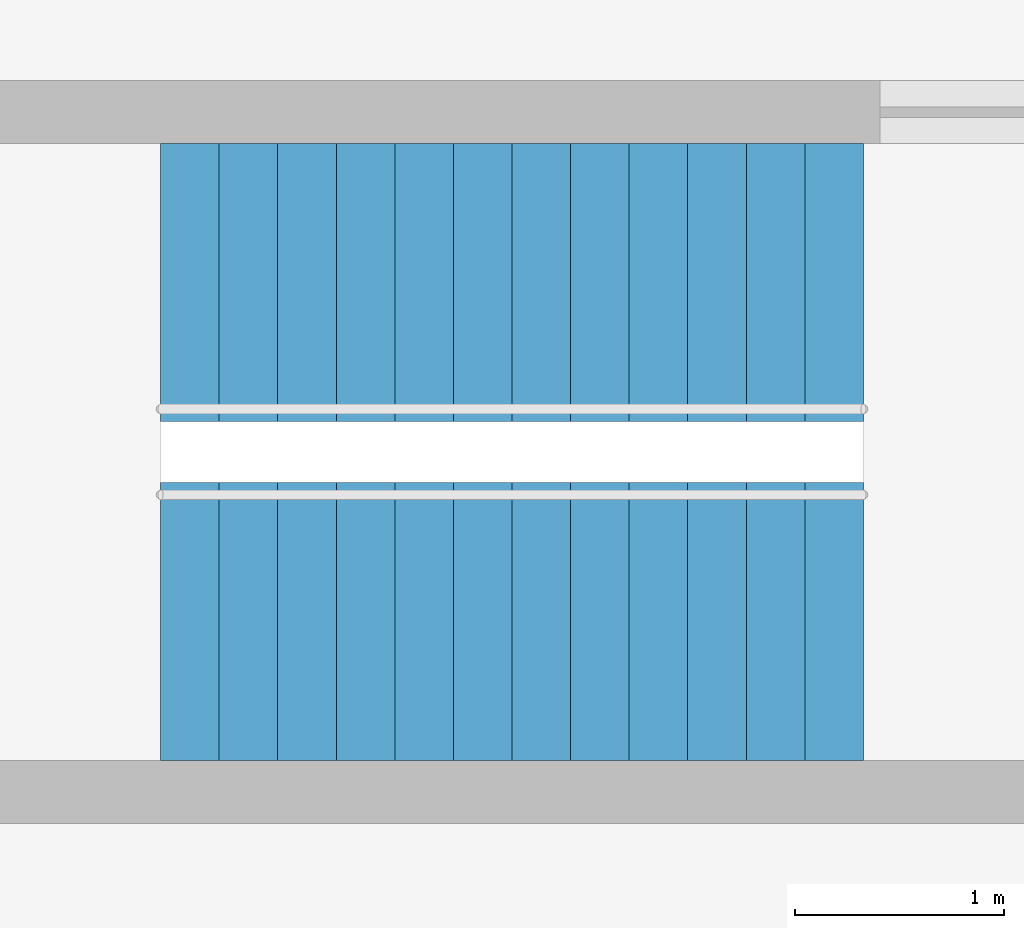
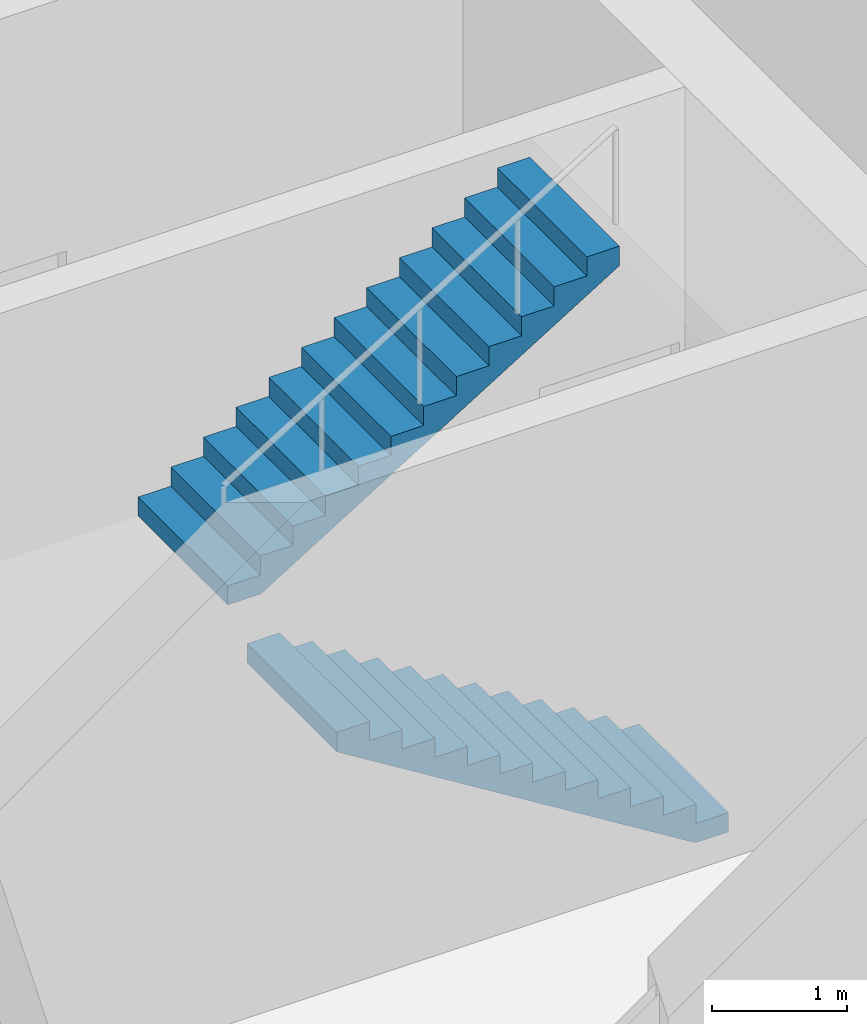
# One storey, part 14 of 15: 2 stair flights, 1 element without a shape of its own.
"""IFC4 building model written with IfcOpenShell, lengths in metres."""

from ifc_helpers import new_model, si_unit, direction, frame, origin, place, context, subcontext, project, spatial, polyline, outline, extrude, material, type_object, element, aggregate, save


model = new_model("IFC4")

# Units and contexts
model_context = context("Model", 3, precision=1e-05, world=origin(), true_north=direction((0.0, 1.0)))
body_context = subcontext(model_context, "Body", "Model", "MODEL_VIEW")
ifc_project = project(units=[si_unit("LENGTHUNIT", "METRE"), si_unit("AREAUNIT", "SQUARE_METRE"), si_unit("VOLUMEUNIT", "CUBIC_METRE"), si_unit("PLANEANGLEUNIT", "RADIAN"), si_unit("MASSUNIT", "GRAM", prefix="KILO")], contexts=[model_context])

# Site, building, storey
site_placement = place(None, origin())
site = spatial("IfcSite", under=ifc_project, at=site_placement, CompositionType="ELEMENT")
building_placement = place(site_placement, origin())
building = spatial("IfcBuilding", under=site, at=building_placement, Name="Turquesa Mirador Hotel Tower", CompositionType="ELEMENT")
storey_placement = place(building_placement, frame((0.0, 0.0, 20.5)))
storey = spatial("IfcBuildingStorey", under=building, at=storey_placement, Name="L04", CompositionType="ELEMENT", Elevation=20.5)

# Stair, stair flights
ifc_material_1 = material(Name="Concrete C35/45", Category="concrete")
stair_type = type_object("IfcStairType", Name="ESCAPE STAIR CORE", PredefinedType="HALF_TURN_STAIR", material=ifc_material_1)
stair_placement = place(storey_placement, origin())
stair = element("IfcStair", 1, at=stair_placement, inside=storey, type_object=stair_type, Name="Stair ST3 L04 to L05", PredefinedType="HALF_TURN_STAIR")
ifc_material_2 = material(Name="Concrete C35/45 precast flight", Category="concrete")
stair_flight_type = type_object("IfcStairFlightType", Name="STAIR FLIGHT 1330", PredefinedType="STRAIGHT", material=ifc_material_2)
stair_flight_1_placement = place(storey_placement, frame((63.070068359375, 45.81494140625, 0.0), z_axis=(0.0, 0.0, 1.0), x_axis=(-1.0, 0.0, 0.0)))
stair_flight_1 = element("IfcStairFlight", 2, at=stair_flight_1_placement, type_object=stair_flight_type, Name="ST3 flight 1", NumberOfRisers=13, NumberOfTreads=12, PredefinedType="STRAIGHT", RiserHeight=0.173076923, TreadLength=0.28, context=body_context, shape_type="SweptSolid", body=[
    extrude(outline(polyline([(0.0, 0.0), (0.0, 0.173095703125), (0.280029296875, 0.173095703125), (0.280029296875, 0.34619140625), (0.56005859375, 0.34619140625), (0.56005859375, 0.519287109375), (0.840087890625, 0.519287109375), (0.840087890625, 0.6923828125), (1.1201171875, 0.6923828125), (1.1201171875, 0.865478515625), (1.39990234375, 0.865478515625), (1.39990234375, 1.03857421875), (1.679931640625, 1.03857421875), (1.679931640625, 1.21142578125), (1.9599609375, 1.21142578125), (1.9599609375, 1.384521484375), (2.239990234375, 1.384521484375), (2.239990234375, 1.5576171875), (2.52001953125, 1.5576171875), (2.52001953125, 1.730712890625), (2.800048828125, 1.730712890625), (2.800048828125, 1.90380859375), (3.080078125, 1.90380859375), (3.080078125, 2.076904296875), (3.360107421875, 2.076904296875), (3.360107421875, 2.25), (3.360107421875, 1.900634765625), (0.28515625, 0.0), (0.0, 0.0)])), frame((0.0, 0.6650390625, 0.0), z_axis=(0.0, -1.0, 0.0), x_axis=(1.0, 0.0, 0.0)), (0.0, 0.0, 1.0), 1.330078125),
])
stair_flight_2_placement = place(storey_placement, frame((59.7099609375, 47.43505859375, 2.25), z_axis=(0.0, 0.0, 1.0), x_axis=(1.0, 0.0, 0.0)))
stair_flight_2 = element("IfcStairFlight", 3, at=stair_flight_2_placement, type_object=stair_flight_type, Name="ST3 flight 2", NumberOfRisers=13, NumberOfTreads=12, PredefinedType="STRAIGHT", RiserHeight=0.173076923, TreadLength=0.28, context=body_context, shape_type="SweptSolid", body=[
    extrude(outline(polyline([(0.0, 0.0), (0.0, 0.173095703125), (0.280029296875, 0.173095703125), (0.280029296875, 0.34619140625), (0.56005859375, 0.34619140625), (0.56005859375, 0.519287109375), (0.840087890625, 0.519287109375), (0.840087890625, 0.6923828125), (1.1201171875, 0.6923828125), (1.1201171875, 0.865478515625), (1.39990234375, 0.865478515625), (1.39990234375, 1.03857421875), (1.679931640625, 1.03857421875), (1.679931640625, 1.21142578125), (1.9599609375, 1.21142578125), (1.9599609375, 1.384521484375), (2.239990234375, 1.384521484375), (2.239990234375, 1.5576171875), (2.52001953125, 1.5576171875), (2.52001953125, 1.730712890625), (2.800048828125, 1.730712890625), (2.800048828125, 1.90380859375), (3.080078125, 1.90380859375), (3.080078125, 2.076904296875), (3.360107421875, 2.076904296875), (3.360107421875, 2.25), (3.360107421875, 1.900634765625), (0.28515625, 0.0), (0.0, 0.0)])), frame((0.0, 0.6650390625, 0.0), z_axis=(0.0, -1.0, 0.0), x_axis=(1.0, 0.0, 0.0)), (0.0, 0.0, 1.0), 1.330078125),
])
aggregate(stair, [stair_flight_1, stair_flight_2])

save(model, "model.ifc")
